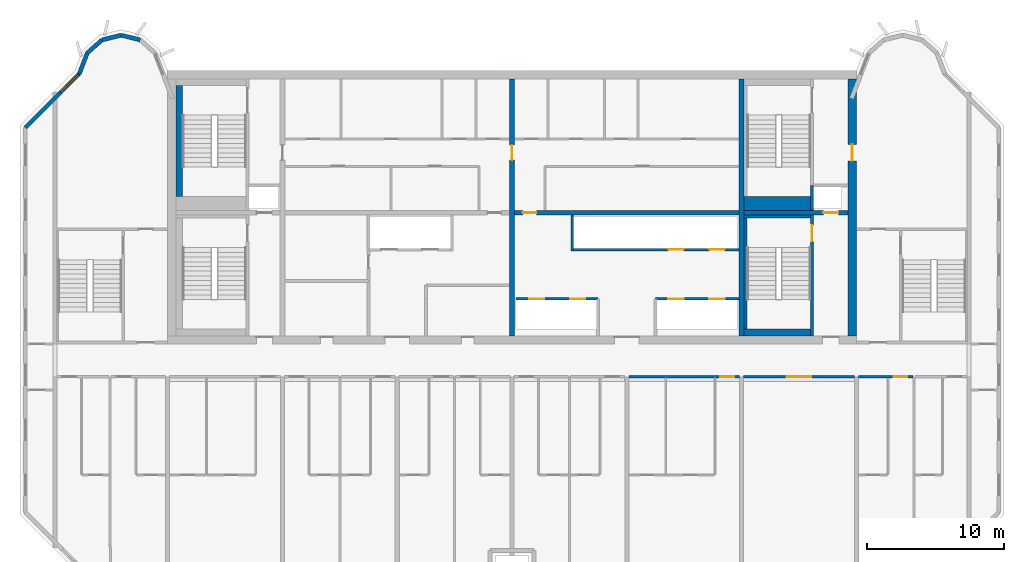
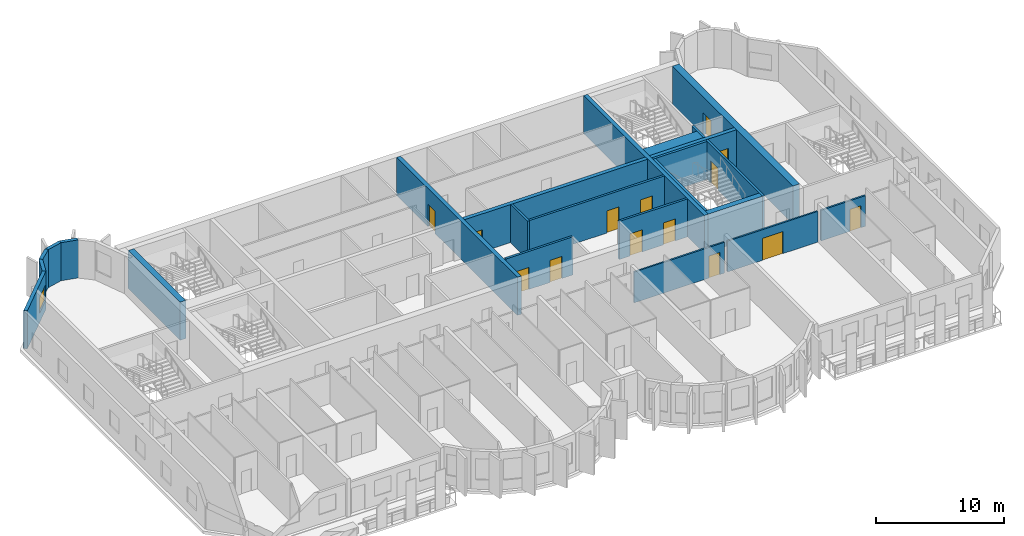
# One storey, part 6 of 11: 24 walls, 14 doors, 1 window, 15 openings.
"""IFC4 building model written with IfcOpenShell, lengths in metres."""

from ifc_helpers import new_model, si_unit, direction, frame, frame_2d, origin, place, context, subcontext, project, spatial, rectangle, extrude, source, transform, mapped, material, layer, layer_set, type_object, element, fill, save


model = new_model("IFC4")

# Units and contexts
model_context = context("Model", 3, precision=1e-05, world=origin(), true_north=direction((0.0, 1.0)))
body_context = subcontext(model_context, "Body", "Model", "MODEL_VIEW")
ifc_project = project(units=[si_unit("LENGTHUNIT", "METRE"), si_unit("AREAUNIT", "SQUARE_METRE"), si_unit("VOLUMEUNIT", "CUBIC_METRE"), si_unit("PLANEANGLEUNIT", "RADIAN"), si_unit("MASSUNIT", "GRAM", prefix="KILO")], contexts=[model_context])

# Site, building, storey
site_placement = place(None, origin())
site = spatial("IfcSite", under=ifc_project, at=site_placement, CompositionType="ELEMENT")
building_placement = place(site_placement, origin())
building = spatial("IfcBuilding", under=site, at=building_placement, Name="Vanashikhar Sky Hotel", CompositionType="ELEMENT")
storey_placement = place(building_placement, frame((0.0, 0.0, 225.699951171875)))
storey = spatial("IfcBuildingStorey", under=building, at=storey_placement, Name="L54", CompositionType="ELEMENT", Elevation=225.699951171875)

# Wall, opening, door
ifc_material_1 = material(Name="Concrete M60", Category="concrete")
ifc_layer_1 = layer(ifc_material_1, 0.60009765625)
ifc_layer_set_1 = layer_set([ifc_layer_1], Name="RC core shell wall 600 Concrete M60")
wall_type_1 = type_object("IfcWallType", Name="RC core shell wall 600 Concrete M60", PredefinedType="SHEAR", material=ifc_layer_set_1)
shared_shape_1 = source(origin(), body_context, "Body", "SweptSolid", [
    extrude(rectangle(XDim=18.7998046875, YDim=0.60009765625, at=frame_2d((9.39990234375, 0.0))), origin(), (0.0, 0.0, 1.0), 3.6201171875),
])
wall_1_placement = place(storey_placement, frame((75.300048828125, 22.60009765625, 0.0), z_axis=(0.0, 0.0, 1.0), x_axis=(0.0, 1.0, 0.0)))
wall_1 = element("IfcWall", 1, at=wall_1_placement, inside=storey, type_object=wall_type_1, Name="KW-L54-KE", PredefinedType="SHEAR", context=body_context, shape_type="MappedRepresentation", body=[
    mapped(shared_shape_1, transform((0.0, 0.0, 0.0), scale=1.0)),
])
shared_shape_2 = source(origin(), body_context, "Body", "SweptSolid", [
    extrude(rectangle(XDim=1.199951171875, YDim=2.10009765625, at=frame_2d((0.60009765625, 1.050048828125))), frame((0.0, 0.31005859375, 0.0), z_axis=(0.0, -1.0, 0.0), x_axis=(1.0, 0.0, 0.0)), (0.0, 0.0, 1.0), 0.6201171875),
])
opening_1_placement = place(wall_1_placement, frame((12.800048828125, 0.0, 0.0)))
opening_1 = element("IfcOpeningElement", 2, at=opening_1_placement, cuts=wall_1, Name="Opening DC-4-D", PredefinedType="OPENING", context=body_context, shape_type="MappedRepresentation", body=[
    mapped(shared_shape_2, transform((0.0, 0.0, 0.0), scale=1.0)),
])
ifc_material_2 = material(Name="Steel", Category="steel")
door_type_1 = type_object("IfcDoorType", Name="Service door 1200 FD120", OperationType="NOTDEFINED", PredefinedType="DOOR", material=ifc_material_2)
shared_shape_3 = source(origin(), body_context, "Body", "SweptSolid", [
    extrude(rectangle(XDim=1.199951171875, YDim=2.10009765625, at=frame_2d((0.60009765625, 1.050048828125))), frame((0.0, 0.02490234375, 0.0), z_axis=(0.0, -1.0, 0.0), x_axis=(1.0, 0.0, 0.0)), (0.0, 0.0, 1.0), 0.050048828125),
])
door_1_placement = place(opening_1_placement, origin())
door_1 = element("IfcDoor", 3, at=door_1_placement, inside=storey, type_object=door_type_1, Name="Service door 1200 FD120", OperationType="SINGLE_SWING_RIGHT", OverallHeight=2.10009765625, OverallWidth=1.199951171875, PredefinedType="DOOR", context=body_context, shape_type="MappedRepresentation", body=[
    mapped(shared_shape_3, transform((0.0, 0.0, 0.0), scale=1.0)),
])
fill(opening_1, door_1)

ifc_layer_2 = layer(ifc_material_1, 0.35009765625)
ifc_layer_set_2 = layer_set([ifc_layer_2], Name="RC core inner wall 350 Concrete M60")
wall_type_2 = type_object("IfcWallType", Name="RC core inner wall 350 Concrete M60", PredefinedType="SHEAR", material=ifc_layer_set_2)
shared_shape_4 = source(origin(), body_context, "Body", "SweptSolid", [
    extrude(rectangle(XDim=18.7998046875, YDim=0.35009765625, at=frame_2d((9.39990234375, 0.0))), origin(), (0.0, 0.0, 1.0), 3.6201171875),
])
wall_2_placement = place(storey_placement, frame((50.39990234375, 22.60009765625, 0.0), z_axis=(0.0, 0.0, 1.0), x_axis=(0.0, 1.0, 0.0)))
wall_2 = element("IfcWall", 4, at=wall_2_placement, inside=storey, type_object=wall_type_2, Name="KW-L54-KX2", PredefinedType="SHEAR", context=body_context, shape_type="MappedRepresentation", body=[
    mapped(shared_shape_4, transform((0.0, 0.0, 0.0), scale=1.0)),
])
shared_shape_5 = source(origin(), body_context, "Body", "SweptSolid", [
    extrude(rectangle(XDim=1.10009765625, YDim=2.10009765625, at=frame_2d((0.550048828125, 1.050048828125))), frame((0.0, 0.18505859375, 0.0), z_axis=(0.0, -1.0, 0.0), x_axis=(1.0, 0.0, 0.0)), (0.0, 0.0, 1.0), 0.3701171875),
])
opening_2_placement = place(wall_2_placement, frame((12.85009765625, 0.0, 0.0)))
opening_2 = element("IfcOpeningElement", 5, at=opening_2_placement, cuts=wall_2, Name="Opening DC-4-C", PredefinedType="OPENING", context=body_context, shape_type="MappedRepresentation", body=[
    mapped(shared_shape_5, transform((0.0, 0.0, 0.0), scale=1.0)),
])
door_type_2 = type_object("IfcDoorType", Name="Service door 1100 FD60", OperationType="NOTDEFINED", PredefinedType="DOOR", material=ifc_material_2)
shared_shape_6 = source(origin(), body_context, "Body", "SweptSolid", [
    extrude(rectangle(XDim=1.10009765625, YDim=2.10009765625, at=frame_2d((0.550048828125, 1.050048828125))), frame((0.0, 0.02490234375, 0.0), z_axis=(0.0, -1.0, 0.0), x_axis=(1.0, 0.0, 0.0)), (0.0, 0.0, 1.0), 0.050048828125),
])
door_2_placement = place(opening_2_placement, origin())
door_2 = element("IfcDoor", 6, at=door_2_placement, inside=storey, type_object=door_type_2, Name="Service door 1100 FD60", OperationType="SINGLE_SWING_LEFT", OverallHeight=2.10009765625, OverallWidth=1.10009765625, PredefinedType="DOOR", context=body_context, shape_type="MappedRepresentation", body=[
    mapped(shared_shape_6, transform((0.0, 0.0, 0.0), scale=1.0)),
])
fill(opening_2, door_2)

# Wall
wall_3_placement = place(storey_placement, frame((67.199951171875, 22.60009765625, 0.0), z_axis=(0.0, 0.0, 1.0), x_axis=(0.0, 1.0, 0.0)))
element("IfcWall", 7, at=wall_3_placement, inside=storey, type_object=wall_type_2, Name="KW-L54-KX3", PredefinedType="SHEAR", context=body_context, shape_type="MappedRepresentation", body=[
    mapped(shared_shape_4, transform((0.0, 0.0, 0.0), scale=1.0)),
])

# Wall, opening, door
shared_shape_7 = source(origin(), body_context, "Body", "SweptSolid", [
    extrude(rectangle(XDim=7.625, YDim=0.35009765625, at=frame_2d((3.8125, 0.0))), origin(), (0.0, 0.0, 1.0), 3.6201171875),
])
wall_4_placement = place(storey_placement, frame((67.375, 31.60009765625, 0.0), z_axis=(0.0, 0.0, 1.0), x_axis=(1.0, 0.0, 0.0)))
wall_4 = element("IfcWall", 8, at=wall_4_placement, inside=storey, type_object=wall_type_2, Name="KW-L54-KY4", PredefinedType="SHEAR", context=body_context, shape_type="MappedRepresentation", body=[
    mapped(shared_shape_7, transform((0.0, 0.0, 0.0), scale=1.0)),
])
opening_3_placement = place(wall_4_placement, frame((5.800048828125, 0.0, 0.0)))
opening_3 = element("IfcOpeningElement", 9, at=opening_3_placement, cuts=wall_4, Name="Opening LD", PredefinedType="OPENING", context=body_context, shape_type="MappedRepresentation", body=[
    mapped(shared_shape_5, transform((0.0, 0.0, 0.0), scale=1.0)),
])
ifc_material_3 = material(Name="Stainless steel", Category="steel")
door_type_3 = type_object("IfcDoorType", Name="Lift landing door 1100", OperationType="NOTDEFINED", PredefinedType="DOOR", material=ifc_material_3)
door_3_placement = place(opening_3_placement, origin())
door_3 = element("IfcDoor", 10, at=door_3_placement, inside=storey, type_object=door_type_3, Name="Lift landing door 1100", OperationType="SLIDING_TO_LEFT", OverallHeight=2.10009765625, OverallWidth=1.10009765625, PredefinedType="DOOR", context=body_context, shape_type="MappedRepresentation", body=[
    mapped(shared_shape_6, transform((0.0, 0.0, 0.0), scale=1.0)),
])
fill(opening_3, door_3)

shared_shape_8 = source(origin(), body_context, "Body", "SweptSolid", [
    extrude(rectangle(XDim=16.449951171875, YDim=0.35009765625, at=frame_2d((8.22509765625, 0.0))), origin(), (0.0, 0.0, 1.0), 3.6201171875),
])
wall_5_placement = place(storey_placement, frame((50.574951171875, 31.60009765625, 0.0), z_axis=(0.0, 0.0, 1.0), x_axis=(1.0, 0.0, 0.0)))
wall_5 = element("IfcWall", 11, at=wall_5_placement, inside=storey, type_object=wall_type_2, Name="KW-L54-KY3", PredefinedType="SHEAR", context=body_context, shape_type="MappedRepresentation", body=[
    mapped(shared_shape_8, transform((0.0, 0.0, 0.0), scale=1.0)),
])
shared_shape_9 = source(origin(), body_context, "Body", "SweptSolid", [
    extrude(rectangle(XDim=1.0, YDim=2.10009765625, at=frame_2d((0.5, 1.050048828125))), frame((0.0, 0.18505859375, 0.0), z_axis=(0.0, -1.0, 0.0), x_axis=(1.0, 0.0, 0.0)), (0.0, 0.0, 1.0), 0.3701171875),
])
opening_4_placement = place(wall_5_placement, frame((0.613037109375, 0.0, 0.0)))
opening_4 = element("IfcOpeningElement", 12, at=opening_4_placement, cuts=wall_5, Name="Opening DC-4", PredefinedType="OPENING", context=body_context, shape_type="MappedRepresentation", body=[
    mapped(shared_shape_9, transform((0.0, 0.0, 0.0), scale=1.0)),
])
door_type_4 = type_object("IfcDoorType", Name="Service door 1000 FD60", OperationType="NOTDEFINED", PredefinedType="DOOR", material=ifc_material_2)
shared_shape_10 = source(origin(), body_context, "Body", "SweptSolid", [
    extrude(rectangle(XDim=1.0, YDim=2.10009765625, at=frame_2d((0.5, 1.050048828125))), frame((0.0, 0.02490234375, 0.0), z_axis=(0.0, -1.0, 0.0), x_axis=(1.0, 0.0, 0.0)), (0.0, 0.0, 1.0), 0.050048828125),
])
door_4_placement = place(opening_4_placement, origin())
door_4 = element("IfcDoor", 13, at=door_4_placement, inside=storey, type_object=door_type_4, Name="Service door 1000 FD60", OperationType="SINGLE_SWING_RIGHT", OverallHeight=2.10009765625, OverallWidth=1.0, PredefinedType="DOOR", context=body_context, shape_type="MappedRepresentation", body=[
    mapped(shared_shape_10, transform((0.0, 0.0, 0.0), scale=1.0)),
])
fill(opening_4, door_4)

# Wall, opening, window
ifc_material_4 = material(Name="Concrete M50", Category="concrete")
ifc_layer_3 = layer(ifc_material_4, 0.300048828125)
ifc_layer_set_3 = layer_set([ifc_layer_3], Name="Lobe wall 300")
wall_type_3 = type_object("IfcWallType", Name="Lobe wall 300", PredefinedType="SOLIDWALL", material=ifc_layer_set_3)
shared_shape_11 = source(origin(), body_context, "Body", "SweptSolid", [
    extrude(rectangle(XDim=5.576416015625, YDim=0.300048828125, at=frame_2d((2.7880859375, 0.0))), origin(), (0.0, 0.0, 1.0), 3.6201171875),
])
wall_6_placement = place(storey_placement, frame((18.7431640625, 41.77734375, 0.0), z_axis=(0.0, 0.0, 1.0), x_axis=(-0.707106781187, -0.707106781187, 0.0)))
wall_6 = element("IfcWall", 14, at=wall_6_placement, inside=storey, type_object=wall_type_3, Name="Corner wall", PredefinedType="SOLIDWALL", context=body_context, shape_type="MappedRepresentation", body=[
    mapped(shared_shape_11, transform((0.0, 0.0, 0.0), scale=1.0)),
])
shared_shape_12 = source(origin(), body_context, "Body", "SweptSolid", [
    extrude(rectangle(XDim=1.800048828125, YDim=1.5, at=frame_2d((0.89990234375, 0.75))), frame((0.0, 0.16015625, 0.0), z_axis=(0.0, -1.0, 0.0), x_axis=(1.0, 0.0, 0.0)), (0.0, 0.0, 1.0), 0.320068359375),
])
opening_5_placement = place(wall_6_placement, frame((0.117919921875, 0.0, 0.89990234375)))
opening_5 = element("IfcOpeningElement", 15, at=opening_5_placement, cuts=wall_6, Name="Opening WN-4", PredefinedType="OPENING", context=body_context, shape_type="MappedRepresentation", body=[
    mapped(shared_shape_12, transform((0.0, 0.0, 0.0), scale=1.0)),
])
ifc_material_5 = material(Name="Glass", Category="glass")
window_type = type_object("IfcWindowType", Name="Corner window 1800 x 1500", PartitioningType="SINGLE_PANEL", PredefinedType="WINDOW", material=ifc_material_5)
shared_shape_13 = source(origin(), body_context, "Body", "SweptSolid", [
    extrude(rectangle(XDim=1.800048828125, YDim=1.5, at=frame_2d((0.89990234375, 0.75))), frame((0.0, 0.030029296875, 0.0), z_axis=(0.0, -1.0, 0.0), x_axis=(1.0, 0.0, 0.0)), (0.0, 0.0, 1.0), 0.06005859375),
])
window_placement = place(opening_5_placement, origin())
window = element("IfcWindow", 16, at=window_placement, inside=storey, type_object=window_type, Name="Window WN-4", OverallHeight=1.5, OverallWidth=1.800048828125, PartitioningType="SINGLE_PANEL", PredefinedType="WINDOW", context=body_context, shape_type="MappedRepresentation", body=[
    mapped(shared_shape_13, transform((0.0, 0.0, 0.0), scale=1.0)),
])
fill(opening_5, window)

# Walls
shared_shape_14 = source(origin(), body_context, "Body", "SweptSolid", [
    extrude(rectangle(XDim=1.6220703125, YDim=0.300048828125, at=frame_2d((0.81103515625, 0.0))), origin(), (0.0, 0.0, 1.0), 3.6201171875),
])
wall_7_placement = place(storey_placement, frame((19.323486328125, 43.2919921875, 0.0), z_axis=(0.0, 0.0, 1.0), x_axis=(-0.357778527068, -0.933806471154, 0.0)))
element("IfcWall", 17, at=wall_7_placement, inside=storey, type_object=wall_type_3, Name="Lobe wall", PredefinedType="SOLIDWALL", context=body_context, shape_type="MappedRepresentation", body=[
    mapped(shared_shape_14, transform((0.0, 0.0, 0.0), scale=1.0)),
])
shared_shape_15 = source(origin(), body_context, "Body", "SweptSolid", [
    extrude(rectangle(XDim=1.43994140625, YDim=0.300048828125, at=frame_2d((0.719970703125, 0.0))), origin(), (0.0, 0.0, 1.0), 3.6201171875),
])
wall_8_placement = place(storey_placement, frame((20.40283203125, 44.2451171875, 0.0), z_axis=(0.0, 0.0, 1.0), x_axis=(-0.74957555648, -0.661918790432, 0.0)))
element("IfcWall", 18, at=wall_8_placement, inside=storey, type_object=wall_type_3, Name="Lobe wall", PredefinedType="SOLIDWALL", context=body_context, shape_type="MappedRepresentation", body=[
    mapped(shared_shape_15, transform((0.0, 0.0, 0.0), scale=1.0)),
])
shared_shape_16 = source(origin(), body_context, "Body", "SweptSolid", [
    extrude(rectangle(XDim=1.438720703125, YDim=0.300048828125, at=frame_2d((0.71923828125, 0.0))), origin(), (0.0, 0.0, 1.0), 3.6201171875),
])
wall_9_placement = place(storey_placement, frame((21.800048828125, 44.588134765625, 0.0), z_axis=(0.0, 0.0, 1.0), x_axis=(-0.971161932466, -0.238420848351, 0.0)))
element("IfcWall", 19, at=wall_9_placement, inside=storey, type_object=wall_type_3, Name="Lobe wall", PredefinedType="SOLIDWALL", context=body_context, shape_type="MappedRepresentation", body=[
    mapped(shared_shape_16, transform((0.0, 0.0, 0.0), scale=1.0)),
])
shared_shape_17 = source(origin(), body_context, "Body", "SweptSolid", [
    extrude(rectangle(XDim=1.4384765625, YDim=0.300048828125, at=frame_2d((0.71923828125, 0.0))), origin(), (0.0, 0.0, 1.0), 3.6201171875),
])
wall_10_placement = place(storey_placement, frame((23.197021484375, 44.2451171875, 0.0), z_axis=(0.0, 0.0, 1.0), x_axis=(-0.971152283879, 0.238460146601, 0.0)))
element("IfcWall", 20, at=wall_10_placement, inside=storey, type_object=wall_type_3, Name="Lobe wall", PredefinedType="SOLIDWALL", context=body_context, shape_type="MappedRepresentation", body=[
    mapped(shared_shape_17, transform((0.0, 0.0, 0.0), scale=1.0)),
])

# Wall, openings, doors
ifc_material_6 = material(Name="Concrete M40", Category="concrete")
ifc_layer_4 = layer(ifc_material_6, 0.199951171875)
ifc_layer_set_4 = layer_set([ifc_layer_4], Name="Shaft wall 200")
wall_type_4 = type_object("IfcWallType", Name="Shaft wall 200", PredefinedType="SOLIDWALL", material=ifc_layer_set_4)
shared_shape_18 = source(origin(), body_context, "Body", "SweptSolid", [
    extrude(rectangle(XDim=6.0, YDim=0.199951171875, at=frame_2d((3.0, 0.0))), origin(), (0.0, 0.0, 1.0), 3.6201171875),
])
wall_11_placement = place(storey_placement, frame((56.699951171875, 25.300048828125, 0.0), z_axis=(0.0, 0.0, 1.0), x_axis=(-1.0, 0.0, 0.0)))
wall_11 = element("IfcWall", 21, at=wall_11_placement, inside=storey, type_object=wall_type_4, Name="Shaft wall 200", PredefinedType="SOLIDWALL", context=body_context, shape_type="MappedRepresentation", body=[
    mapped(shared_shape_18, transform((0.0, 0.0, 0.0), scale=1.0)),
])
shared_shape_19 = source(origin(), body_context, "Body", "SweptSolid", [
    extrude(rectangle(XDim=1.10009765625, YDim=2.10009765625, at=frame_2d((0.550048828125, 1.050048828125))), frame((0.0, 0.10986328125, 0.0), z_axis=(0.0, -1.0, 0.0), x_axis=(1.0, 0.0, 0.0)), (0.0, 0.0, 1.0), 0.219970703125),
])
opening_6_placement = place(wall_11_placement, frame((0.949951171875, 0.0, 0.0)))
opening_6 = element("IfcOpeningElement", 22, at=opening_6_placement, cuts=wall_11, Name="Opening LD", PredefinedType="OPENING", context=body_context, shape_type="MappedRepresentation", body=[
    mapped(shared_shape_19, transform((0.0, 0.0, 0.0), scale=1.0)),
])
opening_7_placement = place(wall_11_placement, frame((3.949951171875, 0.0, 0.0)))
opening_7 = element("IfcOpeningElement", 23, at=opening_7_placement, cuts=wall_11, Name="Opening LD", PredefinedType="OPENING", context=body_context, shape_type="MappedRepresentation", body=[
    mapped(shared_shape_19, transform((0.0, 0.0, 0.0), scale=1.0)),
])
door_5_placement = place(opening_6_placement, origin())
door_5 = element("IfcDoor", 24, at=door_5_placement, inside=storey, type_object=door_type_3, Name="Lift landing door 1100", OperationType="SLIDING_TO_RIGHT", OverallHeight=2.10009765625, OverallWidth=1.10009765625, PredefinedType="DOOR", context=body_context, shape_type="MappedRepresentation", body=[
    mapped(shared_shape_6, transform((0.0, 0.0, 0.0), scale=1.0)),
])
fill(opening_6, door_5)
door_6_placement = place(opening_7_placement, origin())
door_6 = element("IfcDoor", 25, at=door_6_placement, inside=storey, type_object=door_type_3, Name="Lift landing door 1100", OperationType="SLIDING_TO_LEFT", OverallHeight=2.10009765625, OverallWidth=1.10009765625, PredefinedType="DOOR", context=body_context, shape_type="MappedRepresentation", body=[
    mapped(shared_shape_6, transform((0.0, 0.0, 0.0), scale=1.0)),
])
fill(opening_7, door_6)

# Wall
shared_shape_20 = source(origin(), body_context, "Body", "SweptSolid", [
    extrude(rectangle(XDim=2.625, YDim=0.199951171875, at=frame_2d((1.3125, 0.0))), origin(), (0.0, 0.0, 1.0), 3.6201171875),
])
wall_12_placement = place(storey_placement, frame((54.800048828125, 28.800048828125, 0.0), z_axis=(0.0, 0.0, 1.0), x_axis=(0.0, 1.0, 0.0)))
element("IfcWall", 26, at=wall_12_placement, inside=storey, type_object=wall_type_4, Name="Shaft wall 200", PredefinedType="SOLIDWALL", context=body_context, shape_type="MappedRepresentation", body=[
    mapped(shared_shape_20, transform((0.0, 0.0, 0.0), scale=1.0)),
])

# Wall, openings, doors
shared_shape_21 = source(origin(), body_context, "Body", "SweptSolid", [
    extrude(rectangle(XDim=6.125, YDim=0.199951171875, at=frame_2d((3.0625, 0.0))), origin(), (0.0, 0.0, 1.0), 3.6201171875),
])
wall_13_placement = place(storey_placement, frame((67.02490234375, 25.300048828125, 0.0), z_axis=(0.0, 0.0, 1.0), x_axis=(-1.0, 0.0, 0.0)))
wall_13 = element("IfcWall", 27, at=wall_13_placement, inside=storey, type_object=wall_type_4, Name="Shaft wall 200", PredefinedType="SOLIDWALL", context=body_context, shape_type="MappedRepresentation", body=[
    mapped(shared_shape_21, transform((0.0, 0.0, 0.0), scale=1.0)),
])
opening_8_placement = place(wall_13_placement, frame((1.074951171875, 0.0, 0.0)))
opening_8 = element("IfcOpeningElement", 28, at=opening_8_placement, cuts=wall_13, Name="Opening LD", PredefinedType="OPENING", context=body_context, shape_type="MappedRepresentation", body=[
    mapped(shared_shape_19, transform((0.0, 0.0, 0.0), scale=1.0)),
])
opening_9_placement = place(wall_13_placement, frame((4.074951171875, 0.0, 0.0)))
opening_9 = element("IfcOpeningElement", 29, at=opening_9_placement, cuts=wall_13, Name="Opening LD", PredefinedType="OPENING", context=body_context, shape_type="MappedRepresentation", body=[
    mapped(shared_shape_19, transform((0.0, 0.0, 0.0), scale=1.0)),
])
door_7_placement = place(opening_8_placement, origin())
door_7 = element("IfcDoor", 30, at=door_7_placement, inside=storey, type_object=door_type_3, Name="Lift landing door 1100", OperationType="SLIDING_TO_RIGHT", OverallHeight=2.10009765625, OverallWidth=1.10009765625, PredefinedType="DOOR", context=body_context, shape_type="MappedRepresentation", body=[
    mapped(shared_shape_6, transform((0.0, 0.0, 0.0), scale=1.0)),
])
fill(opening_8, door_7)
door_8_placement = place(opening_9_placement, origin())
door_8 = element("IfcDoor", 31, at=door_8_placement, inside=storey, type_object=door_type_3, Name="Lift landing door 1100", OperationType="SLIDING_TO_LEFT", OverallHeight=2.10009765625, OverallWidth=1.10009765625, PredefinedType="DOOR", context=body_context, shape_type="MappedRepresentation", body=[
    mapped(shared_shape_6, transform((0.0, 0.0, 0.0), scale=1.0)),
])
fill(opening_9, door_8)

shared_shape_22 = source(origin(), body_context, "Body", "SweptSolid", [
    extrude(rectangle(XDim=12.125, YDim=0.199951171875, at=frame_2d((6.0625, 0.0))), origin(), (0.0, 0.0, 1.0), 3.6201171875),
])
wall_14_placement = place(storey_placement, frame((67.02490234375, 28.89990234375, 0.0), z_axis=(0.0, 0.0, 1.0), x_axis=(-1.0, 0.0, 0.0)))
wall_14 = element("IfcWall", 32, at=wall_14_placement, inside=storey, type_object=wall_type_4, Name="Shaft wall 200", PredefinedType="SOLIDWALL", context=body_context, shape_type="MappedRepresentation", body=[
    mapped(shared_shape_22, transform((0.0, 0.0, 0.0), scale=1.0)),
])
opening_10_placement = place(wall_14_placement, frame((1.074951171875, 0.0, 0.0)))
opening_10 = element("IfcOpeningElement", 33, at=opening_10_placement, cuts=wall_14, Name="Opening LD", PredefinedType="OPENING", context=body_context, shape_type="MappedRepresentation", body=[
    mapped(shared_shape_19, transform((0.0, 0.0, 0.0), scale=1.0)),
])
opening_11_placement = place(wall_14_placement, frame((4.074951171875, 0.0, 0.0)))
opening_11 = element("IfcOpeningElement", 34, at=opening_11_placement, cuts=wall_14, Name="Opening LD", PredefinedType="OPENING", context=body_context, shape_type="MappedRepresentation", body=[
    mapped(shared_shape_19, transform((0.0, 0.0, 0.0), scale=1.0)),
])
door_9_placement = place(opening_10_placement, origin())
door_9 = element("IfcDoor", 35, at=door_9_placement, inside=storey, type_object=door_type_3, Name="Lift landing door 1100", OperationType="SLIDING_TO_RIGHT", OverallHeight=2.10009765625, OverallWidth=1.10009765625, PredefinedType="DOOR", context=body_context, shape_type="MappedRepresentation", body=[
    mapped(shared_shape_6, transform((0.0, 0.0, 0.0), scale=1.0)),
])
fill(opening_10, door_9)
door_10_placement = place(opening_11_placement, origin())
door_10 = element("IfcDoor", 36, at=door_10_placement, inside=storey, type_object=door_type_3, Name="Lift landing door 1100", OperationType="SLIDING_TO_LEFT", OverallHeight=2.10009765625, OverallWidth=1.10009765625, PredefinedType="DOOR", context=body_context, shape_type="MappedRepresentation", body=[
    mapped(shared_shape_6, transform((0.0, 0.0, 0.0), scale=1.0)),
])
fill(opening_11, door_10)

# Wall, opening, door
ifc_layer_5 = layer(ifc_material_4, 0.199951171875)
ifc_layer_set_5 = layer_set([ifc_layer_5], Name="Stair wall 200")
wall_type_5 = type_object("IfcWallType", Name="Stair wall 200", PredefinedType="SOLIDWALL", material=ifc_layer_set_5)
shared_shape_23 = source(origin(), body_context, "Body", "SweptSolid", [
    extrude(rectangle(XDim=8.824951171875, YDim=0.199951171875, at=frame_2d((4.41259765625, 0.0))), origin(), (0.0, 0.0, 1.0), 3.6201171875),
])
wall_15_placement = place(storey_placement, frame((72.35009765625, 22.60009765625, 0.0), z_axis=(0.0, 0.0, 1.0), x_axis=(0.0, 1.0, 0.0)))
wall_15 = element("IfcWall", 37, at=wall_15_placement, inside=storey, type_object=wall_type_5, Name="Stair wall 200", PredefinedType="SOLIDWALL", context=body_context, shape_type="MappedRepresentation", body=[
    mapped(shared_shape_23, transform((0.0, 0.0, 0.0), scale=1.0)),
])
shared_shape_24 = source(origin(), body_context, "Body", "SweptSolid", [
    extrude(rectangle(XDim=1.199951171875, YDim=2.10009765625, at=frame_2d((0.60009765625, 1.050048828125))), frame((0.0, 0.10986328125, 0.0), z_axis=(0.0, -1.0, 0.0), x_axis=(1.0, 0.0, 0.0)), (0.0, 0.0, 1.0), 0.219970703125),
])
opening_12_placement = place(wall_15_placement, frame((6.89990234375, 0.0, 0.0)))
opening_12 = element("IfcOpeningElement", 38, at=opening_12_placement, cuts=wall_15, Name="Opening DC-1", PredefinedType="OPENING", context=body_context, shape_type="MappedRepresentation", body=[
    mapped(shared_shape_24, transform((0.0, 0.0, 0.0), scale=1.0)),
])
door_type_5 = type_object("IfcDoorType", Name="Stair door 1200 FD120", OperationType="NOTDEFINED", PredefinedType="DOOR", material=ifc_material_2)
door_11_placement = place(opening_12_placement, origin())
door_11 = element("IfcDoor", 39, at=door_11_placement, inside=storey, type_object=door_type_5, Name="Stair door 1200 FD120", OperationType="SINGLE_SWING_RIGHT", OverallHeight=2.10009765625, OverallWidth=1.199951171875, PredefinedType="DOOR", context=body_context, shape_type="MappedRepresentation", body=[
    mapped(shared_shape_3, transform((0.0, 0.0, 0.0), scale=1.0)),
])
fill(opening_12, door_11)

# Walls
shared_shape_25 = source(origin(), body_context, "Body", "SweptSolid", [
    extrude(rectangle(XDim=1.8251953125, YDim=0.199951171875, at=frame_2d((0.91259765625, 0.0))), origin(), (0.0, 0.0, 1.0), 3.6201171875),
])
wall_16_placement = place(storey_placement, frame((72.35009765625, 31.77490234375, 0.0), z_axis=(0.0, 0.0, 1.0), x_axis=(0.0, 1.0, 0.0)))
element("IfcWall", 40, at=wall_16_placement, inside=storey, type_object=wall_type_4, Name="Shaft wall 200", PredefinedType="SOLIDWALL", context=body_context, shape_type="MappedRepresentation", body=[
    mapped(shared_shape_25, transform((0.0, 0.0, 0.0), scale=1.0)),
])
ifc_layer_6 = layer(ifc_material_4, 0.5)
ifc_layer_set_6 = layer_set([ifc_layer_6], Name="Stair infill wall 500")
wall_type_6 = type_object("IfcWallType", Name="Stair infill wall 500", PredefinedType="SOLIDWALL", material=ifc_layer_set_6)
shared_shape_26 = source(origin(), body_context, "Body", "SweptSolid", [
    extrude(rectangle(XDim=8.099853515625, YDim=0.5, at=frame_2d((4.0498046875, 0.0))), origin(), (0.0, 0.0, 1.0), 3.6201171875),
])
wall_17_placement = place(storey_placement, frame((26.050048828125, 32.800048828125, 0.0), z_axis=(0.0, 0.0, 1.0), x_axis=(0.0, 1.0, 0.0)))
element("IfcWall", 41, at=wall_17_placement, inside=storey, type_object=wall_type_6, Name="Stair infill wall 500", PredefinedType="SOLIDWALL", context=body_context, shape_type="MappedRepresentation", body=[
    mapped(shared_shape_26, transform((0.0, 0.0, 0.0), scale=1.0)),
])
shared_shape_27 = source(origin(), body_context, "Body", "SweptSolid", [
    extrude(rectangle(XDim=4.875, YDim=0.5, at=frame_2d((2.4375, 0.0))), origin(), (0.0, 0.0, 1.0), 3.6201171875),
])
wall_18_placement = place(storey_placement, frame((67.375, 22.85009765625, 0.0), z_axis=(0.0, 0.0, 1.0), x_axis=(1.0, 0.0, 0.0)))
element("IfcWall", 42, at=wall_18_placement, inside=storey, type_object=wall_type_6, Name="Stair infill wall 500", PredefinedType="SOLIDWALL", context=body_context, shape_type="MappedRepresentation", body=[
    mapped(shared_shape_27, transform((0.0, 0.0, 0.0), scale=1.0)),
])
ifc_layer_7 = layer(ifc_material_4, 0.22509765625)
ifc_layer_set_7 = layer_set([ifc_layer_7], Name="Stair infill wall 225")
wall_type_7 = type_object("IfcWallType", Name="Stair infill wall 225", PredefinedType="SOLIDWALL", material=ifc_layer_set_7)
shared_shape_28 = source(origin(), body_context, "Body", "SweptSolid", [
    extrude(rectangle(XDim=4.875, YDim=0.22509765625, at=frame_2d((2.4375, 0.0))), origin(), (0.0, 0.0, 1.0), 3.6201171875),
])
wall_19_placement = place(storey_placement, frame((67.375, 31.31201171875, 0.0), z_axis=(0.0, 0.0, 1.0), x_axis=(1.0, 0.0, 0.0)))
element("IfcWall", 43, at=wall_19_placement, inside=storey, type_object=wall_type_7, Name="Stair infill wall 225", PredefinedType="SOLIDWALL", context=body_context, shape_type="MappedRepresentation", body=[
    mapped(shared_shape_28, transform((0.0, 0.0, 0.0), scale=1.0)),
])
shared_shape_29 = source(origin(), body_context, "Body", "SweptSolid", [
    extrude(rectangle(XDim=8.099853515625, YDim=0.22509765625, at=frame_2d((4.0498046875, 0.0))), origin(), (0.0, 0.0, 1.0), 3.6201171875),
])
wall_20_placement = place(storey_placement, frame((67.487060546875, 23.10009765625, 0.0), z_axis=(0.0, 0.0, 1.0), x_axis=(0.0, 1.0, 0.0)))
element("IfcWall", 44, at=wall_20_placement, inside=storey, type_object=wall_type_7, Name="Stair infill wall 225", PredefinedType="SOLIDWALL", context=body_context, shape_type="MappedRepresentation", body=[
    mapped(shared_shape_29, transform((0.0, 0.0, 0.0), scale=1.0)),
])
ifc_layer_8 = layer(ifc_material_4, 1.02490234375)
ifc_layer_set_8 = layer_set([ifc_layer_8], Name="Stair infill wall 1025")
wall_type_8 = type_object("IfcWallType", Name="Stair infill wall 1025", PredefinedType="SOLIDWALL", material=ifc_layer_set_8)
shared_shape_30 = source(origin(), body_context, "Body", "SweptSolid", [
    extrude(rectangle(XDim=4.875, YDim=1.02490234375, at=frame_2d((2.4375, 0.0))), origin(), (0.0, 0.0, 1.0), 3.6201171875),
])
wall_21_placement = place(storey_placement, frame((67.375, 32.287109375, 0.0), z_axis=(0.0, 0.0, 1.0), x_axis=(1.0, 0.0, 0.0)))
element("IfcWall", 45, at=wall_21_placement, inside=storey, type_object=wall_type_8, Name="Stair infill wall 1025", PredefinedType="SOLIDWALL", context=body_context, shape_type="MappedRepresentation", body=[
    mapped(shared_shape_30, transform((0.0, 0.0, 0.0), scale=1.0)),
])

# Wall, opening, door
ifc_material_7 = material(Name="Gypsum plasterboard partition")
ifc_layer_9 = layer(ifc_material_7, 0.14990234375)
ifc_layer_set_9 = layer_set([ifc_layer_9], Name="Corridor and demising partition 150")
wall_type_9 = type_object("IfcWallType", Name="Corridor and demising partition 150", PredefinedType="PARTITIONING", material=ifc_layer_set_9)
shared_shape_31 = source(origin(), body_context, "Body", "SweptSolid", [
    extrude(rectangle(XDim=3.97509765625, YDim=0.14990234375, at=frame_2d((1.987548828125, 0.0))), origin(), (0.0, 0.0, 1.0), 2.920166015625),
])
wall_22_placement = place(storey_placement, frame((75.75, 19.60009765625, 0.0), z_axis=(0.0, 0.0, 1.0), x_axis=(1.0, 0.0, 0.0)))
wall_22 = element("IfcWall", 46, at=wall_22_placement, inside=storey, type_object=wall_type_9, Name="W-L54-PW042", PredefinedType="PARTITIONING", context=body_context, shape_type="MappedRepresentation", body=[
    mapped(shared_shape_31, transform((0.0, 0.0, 0.0), scale=1.0)),
])
shared_shape_32 = source(origin(), body_context, "Body", "SweptSolid", [
    extrude(rectangle(XDim=1.0, YDim=2.10009765625, at=frame_2d((0.5, 1.050048828125))), frame((0.0, 0.0849609375, 0.0), z_axis=(0.0, -1.0, 0.0), x_axis=(1.0, 0.0, 0.0)), (0.0, 0.0, 1.0), 0.169921875),
])
opening_13_placement = place(wall_22_placement, frame((2.574951171875, 0.0, 0.0)))
opening_13 = element("IfcOpeningElement", 47, at=opening_13_placement, cuts=wall_22, Name="Opening D-01", PredefinedType="OPENING", context=body_context, shape_type="MappedRepresentation", body=[
    mapped(shared_shape_32, transform((0.0, 0.0, 0.0), scale=1.0)),
])
ifc_material_8 = material(Name="Timber fire door", Category="wood")
door_type_6 = type_object("IfcDoorType", Name="Guest entry door 1000 FD30S", OperationType="NOTDEFINED", PredefinedType="DOOR", material=ifc_material_8)
door_12_placement = place(opening_13_placement, origin())
door_12 = element("IfcDoor", 48, at=door_12_placement, inside=storey, type_object=door_type_6, Name="D-L54-025", OperationType="SINGLE_SWING_RIGHT", OverallHeight=2.10009765625, OverallWidth=1.0, PredefinedType="DOOR", context=body_context, shape_type="MappedRepresentation", body=[
    mapped(shared_shape_10, transform((0.0, 0.0, 0.0), scale=1.0)),
])
fill(opening_13, door_12)

shared_shape_33 = source(origin(), body_context, "Body", "SweptSolid", [
    extrude(rectangle(XDim=8.099853515625, YDim=0.14990234375, at=frame_2d((4.0498046875, 0.0))), origin(), (0.0, 0.0, 1.0), 2.920166015625),
])
wall_23_placement = place(storey_placement, frame((67.35009765625, 19.60009765625, 0.0), z_axis=(0.0, 0.0, 1.0), x_axis=(1.0, 0.0, 0.0)))
wall_23 = element("IfcWall", 49, at=wall_23_placement, inside=storey, type_object=wall_type_9, Name="W-L54-PW039", PredefinedType="PARTITIONING", context=body_context, shape_type="MappedRepresentation", body=[
    mapped(shared_shape_33, transform((0.0, 0.0, 0.0), scale=1.0)),
])
shared_shape_34 = source(origin(), body_context, "Body", "SweptSolid", [
    extrude(rectangle(XDim=1.800048828125, YDim=2.10009765625, at=frame_2d((0.89990234375, 1.050048828125))), frame((0.0, 0.0849609375, 0.0), z_axis=(0.0, -1.0, 0.0), x_axis=(1.0, 0.0, 0.0)), (0.0, 0.0, 1.0), 0.169921875),
])
opening_14_placement = place(wall_23_placement, frame((3.14990234375, 0.0, 0.0)))
opening_14 = element("IfcOpeningElement", 50, at=opening_14_placement, cuts=wall_23, Name="Opening D-03", PredefinedType="OPENING", context=body_context, shape_type="MappedRepresentation", body=[
    mapped(shared_shape_34, transform((0.0, 0.0, 0.0), scale=1.0)),
])
door_type_7 = type_object("IfcDoorType", Name="Double leaf door 1800 FD30S", OperationType="NOTDEFINED", PredefinedType="DOOR", material=ifc_material_8)
shared_shape_35 = source(origin(), body_context, "Body", "SweptSolid", [
    extrude(rectangle(XDim=1.800048828125, YDim=2.10009765625, at=frame_2d((0.89990234375, 1.050048828125))), frame((0.0, 0.02490234375, 0.0), z_axis=(0.0, -1.0, 0.0), x_axis=(1.0, 0.0, 0.0)), (0.0, 0.0, 1.0), 0.050048828125),
])
door_13_placement = place(opening_14_placement, origin())
door_13 = element("IfcDoor", 51, at=door_13_placement, inside=storey, type_object=door_type_7, Name="D-L54-023", OperationType="DOUBLE_DOOR_SINGLE_SWING", OverallHeight=2.10009765625, OverallWidth=1.800048828125, PredefinedType="DOOR", context=body_context, shape_type="MappedRepresentation", body=[
    mapped(shared_shape_35, transform((0.0, 0.0, 0.0), scale=1.0)),
])
fill(opening_14, door_13)

shared_shape_36 = source(origin(), body_context, "Body", "SweptSolid", [
    extrude(rectangle(XDim=8.10009765625, YDim=0.14990234375, at=frame_2d((4.050048828125, 0.0))), origin(), (0.0, 0.0, 1.0), 2.920166015625),
])
wall_24_placement = place(storey_placement, frame((58.949951171875, 19.60009765625, 0.0), z_axis=(0.0, 0.0, 1.0), x_axis=(1.0, 0.0, 0.0)))
wall_24 = element("IfcWall", 52, at=wall_24_placement, inside=storey, type_object=wall_type_9, Name="W-L54-PW038", PredefinedType="PARTITIONING", context=body_context, shape_type="MappedRepresentation", body=[
    mapped(shared_shape_36, transform((0.0, 0.0, 0.0), scale=1.0)),
])
opening_15_placement = place(wall_24_placement, frame((6.699951171875, 0.0, 0.0)))
opening_15 = element("IfcOpeningElement", 53, at=opening_15_placement, cuts=wall_24, Name="Opening D-01", PredefinedType="OPENING", context=body_context, shape_type="MappedRepresentation", body=[
    mapped(shared_shape_32, transform((0.0, 0.0, 0.0), scale=1.0)),
])
door_14_placement = place(opening_15_placement, origin())
door_14 = element("IfcDoor", 54, at=door_14_placement, inside=storey, type_object=door_type_6, Name="D-L54-022", OperationType="SINGLE_SWING_RIGHT", OverallHeight=2.10009765625, OverallWidth=1.0, PredefinedType="DOOR", context=body_context, shape_type="MappedRepresentation", body=[
    mapped(shared_shape_10, transform((0.0, 0.0, 0.0), scale=1.0)),
])
fill(opening_15, door_14)

save(model, "model.ifc")
